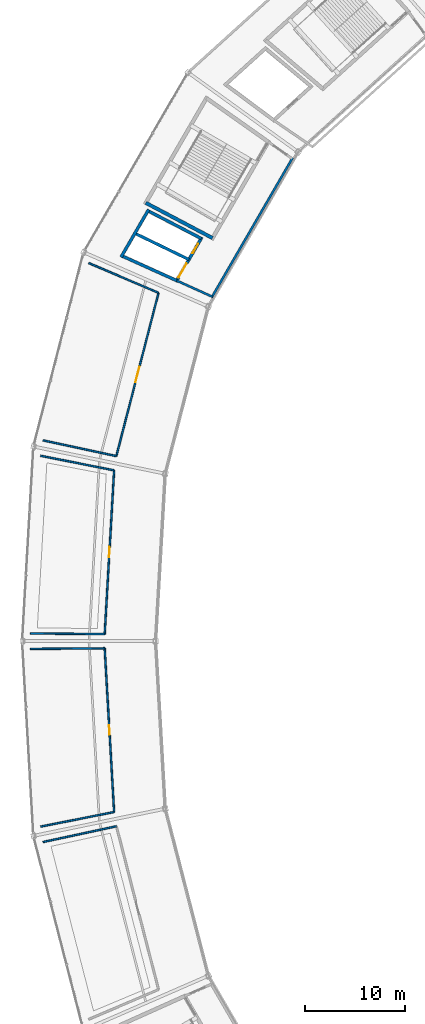
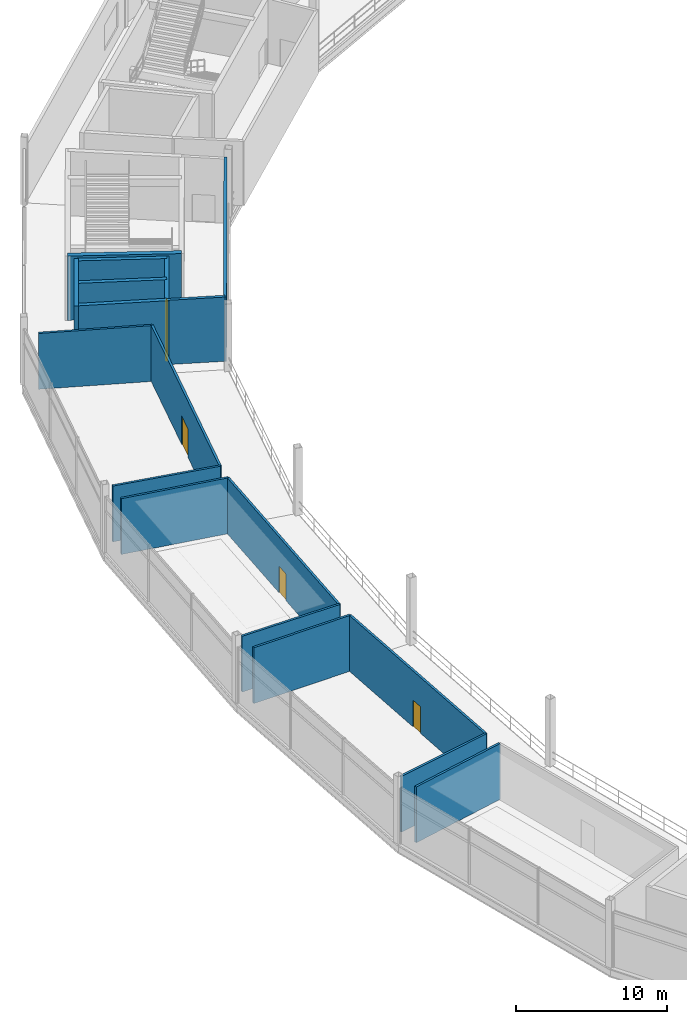
# One storey, part 74 of 103: 18 walls, 5 doors, 5 openings.
"""IFC4 building model written with IfcOpenShell, lengths in metres."""

from ifc_helpers import new_model, si_unit, direction, frame, frame_2d, origin, place, context, subcontext, project, spatial, rectangle, extrude, material, layer, layer_set, type_object, element, fill, save


model = new_model("IFC4")

# Units and contexts
model_context = context("Model", 3, precision=1e-05, world=origin(), true_north=direction((0.0, 1.0)))
body_context = subcontext(model_context, "Body", "Model", "MODEL_VIEW")
ifc_project = project(units=[si_unit("LENGTHUNIT", "METRE"), si_unit("AREAUNIT", "SQUARE_METRE"), si_unit("VOLUMEUNIT", "CUBIC_METRE"), si_unit("PLANEANGLEUNIT", "RADIAN"), si_unit("MASSUNIT", "GRAM", prefix="KILO")], contexts=[model_context])

# Site, building, storey
site_placement = place(None, origin())
site = spatial("IfcSite", under=ifc_project, at=site_placement, CompositionType="ELEMENT")
building_placement = place(site_placement, origin())
building = spatial("IfcBuilding", under=site, at=building_placement, Name="Kazemori Nagisa Stadium", CompositionType="ELEMENT")
storey_placement = place(building_placement, frame((0.0, 0.0, 25.840087890625)))
storey = spatial("IfcBuildingStorey", under=building, at=storey_placement, Name="L05", CompositionType="ELEMENT", Elevation=25.840087890625)

# Walls
ifc_material_1 = material(Name="Concrete C40/50 (Fc42)", Category="concrete")
ifc_layer_1 = layer(ifc_material_1, 0.35009765625, Name="Concrete C40/50 (Fc42)", Category="concrete")
ifc_layer_set_1 = layer_set([ifc_layer_1], Name="Concrete C40/50 (Fc42)")
wall_type_1 = type_object("IfcWallType", Name="Wall_W-CORE-350", PredefinedType="SHEAR", material=ifc_layer_set_1)
wall_1_placement = place(storey_placement, frame((46.958251953125, 142.15869140625, 0.0), z_axis=(0.0, 0.0, 1.0), x_axis=(-0.884271552762, 0.466973040952, 0.0)))
element("IfcWall", 1, at=wall_1_placement, inside=storey, type_object=wall_type_1, Name="Core stair right shear wall ST08 L05", PredefinedType="SHEAR", context=body_context, shape_type="SweptSolid", body=[
    extrude(rectangle(XDim=7.51953125, YDim=0.35009765625, at=frame_2d((3.759765625, 0.0))), origin(), (0.0, 0.0, 1.0), 5.179931640625),
])
ifc_material_2 = material(Name="Concrete C36/45 (Fc36)", Category="concrete")
ifc_layer_2 = layer(ifc_material_2, 0.219970703125, Name="Concrete C36/45 (Fc36)", Category="concrete")
ifc_layer_set_2 = layer_set([ifc_layer_2], Name="Concrete C36/45 (Fc36)")
wall_type_2 = type_object("IfcWallType", Name="Wall_W-LOBBY-220", PredefinedType="SOLIDWALL", material=ifc_layer_set_2)
wall_2_placement = place(storey_placement, frame((54.9443359375, 150.17041015625, 0.0), z_axis=(0.0, 0.0, 1.0), x_axis=(-0.501612626242, -0.865092349518, 0.0)))
element("IfcWall", 2, at=wall_2_placement, inside=storey, type_object=wall_type_2, Name="Core lobby fire wall ST08 L05", PredefinedType="SOLIDWALL", context=body_context, shape_type="SweptSolid", body=[
    extrude(rectangle(XDim=16.110107421875, YDim=0.219970703125, at=frame_2d((8.05517578125, 0.0))), origin(), (0.0, 0.0, 1.0), 5.179931640625),
])
wall_3_placement = place(storey_placement, frame((46.91845703125, 136.328857421875, 0.0), z_axis=(0.0, 0.0, 1.0), x_axis=(-0.91149641055, 0.411308027582, 0.0)))
element("IfcWall", 3, at=wall_3_placement, inside=storey, type_object=wall_type_2, Name="Core lobby right wall ST08 L05", PredefinedType="SOLIDWALL", context=body_context, shape_type="SweptSolid", body=[
    extrude(rectangle(XDim=3.873046875, YDim=0.219970703125, at=frame_2d((1.9365234375, 0.0))), origin(), (0.0, 0.0, 1.0), 5.179931640625),
])

# Wall, opening, door
ifc_material_3 = material(Name="Gypsum plasterboard", Category="gypsum")
ifc_layer_3 = layer(ifc_material_3, 0.1650390625, Name="Gypsum plasterboard", Category="gypsum")
ifc_layer_set_3 = layer_set([ifc_layer_3], Name="Gypsum plasterboard")
wall_type_3 = type_object("IfcWallType", Name="Wall_W-PART-165", PredefinedType="PARTITIONING", material=ifc_layer_set_3)
wall_4_placement = place(storey_placement, frame((41.576416015625, 136.70947265625, 0.0), z_axis=(0.0, 0.0, 1.0), x_axis=(-0.249966328054, -0.968254529986, 0.0)))
wall_4 = element("IfcWall", 4, at=wall_4_placement, inside=storey, type_object=wall_type_3, Name="Room corridor partition L05-B13", PredefinedType="PARTITIONING", context=body_context, shape_type="SweptSolid", body=[
    extrude(rectangle(XDim=16.805908203125, YDim=0.1650390625, at=frame_2d((8.40283203125, 0.0))), origin(), (0.0, 0.0, 1.0), 4.5),
])
opening_1_placement = place(wall_4_placement, frame((7.60302734375, 0.0, 0.0)))
opening_1 = element("IfcOpeningElement", 5, at=opening_1_placement, cuts=wall_4, Name="Opening D-LNG-1600", PredefinedType="OPENING", context=body_context, shape_type="SweptSolid", body=[
    extrude(rectangle(XDim=1.60009765625, YDim=2.300048828125, at=frame_2d((0.800048828125, 1.14990234375))), frame((0.0, 0.092529296875, 0.0), z_axis=(0.0, -1.0, 0.0), x_axis=(1.0, 0.0, 0.0)), (0.0, 0.0, 1.0), 0.18505859375),
])
ifc_material_4 = material(Name="Anodised aluminium 6063-T5", Category="aluminium")
door_type_1 = type_object("IfcDoorType", Name="Door_D-LNG-1600", OperationType="NOTDEFINED", PredefinedType="DOOR", material=ifc_material_4)
door_1_placement = place(opening_1_placement, origin())
door_1 = element("IfcDoor", 6, at=door_1_placement, inside=storey, type_object=door_type_1, Name="Room entrance door D-LNG-1600 L05-B13", OperationType="DOUBLE_DOOR_SINGLE_SWING", OverallHeight=2.300048828125, OverallWidth=1.60009765625, PredefinedType="DOOR", context=body_context, shape_type="SweptSolid", body=[
    extrude(rectangle(XDim=1.60009765625, YDim=2.300048828125, at=frame_2d((0.800048828125, 1.14990234375))), frame((0.0, 0.02490234375, 0.0), z_axis=(0.0, -1.0, 0.0), x_axis=(1.0, 0.0, 0.0)), (0.0, 0.0, 1.0), 0.050048828125),
])
fill(opening_1, door_1)

# Walls
wall_5_placement = place(storey_placement, frame((41.576416015625, 136.70947265625, 0.0), z_axis=(0.0, 0.0, 1.0), x_axis=(-0.919898990597, 0.39215538642, 0.0)))
element("IfcWall", 7, at=wall_5_placement, inside=storey, type_object=wall_type_3, Name="Room radial partition L05-B13-L", PredefinedType="PARTITIONING", context=body_context, shape_type="SweptSolid", body=[
    extrude(rectangle(XDim=7.553466796875, YDim=0.1650390625, at=frame_2d((3.77685546875, 0.0))), origin(), (0.0, 0.0, 1.0), 4.5),
])
wall_6_placement = place(storey_placement, frame((37.37548828125, 120.43701171875, 0.0), z_axis=(0.0, 0.0, 1.0), x_axis=(-0.977591606225, 0.210510454464, 0.0)))
element("IfcWall", 8, at=wall_6_placement, inside=storey, type_object=wall_type_3, Name="Room radial partition L05-B13-R", PredefinedType="PARTITIONING", context=body_context, shape_type="SweptSolid", body=[
    extrude(rectangle(XDim=7.474609375, YDim=0.1650390625, at=frame_2d((3.7373046875, 0.0))), origin(), (0.0, 0.0, 1.0), 4.5),
])

# Wall, opening, door
wall_7_placement = place(storey_placement, frame((37.152099609375, 119.020263671875, 0.0), z_axis=(0.0, 0.0, 1.0), x_axis=(-0.057605127437, -0.998339445927, 0.0)))
wall_7 = element("IfcWall", 9, at=wall_7_placement, inside=storey, type_object=wall_type_3, Name="Room corridor partition L05-B14", PredefinedType="PARTITIONING", context=body_context, shape_type="SweptSolid", body=[
    extrude(rectangle(XDim=16.338134765625, YDim=0.1650390625, at=frame_2d((8.1689453125, 0.0))), origin(), (0.0, 0.0, 1.0), 4.5),
])
opening_2_placement = place(wall_7_placement, frame((7.64892578125, 0.0, 0.0)))
opening_2 = element("IfcOpeningElement", 10, at=opening_2_placement, cuts=wall_7, Name="Opening D-OPS-1040", PredefinedType="OPENING", context=body_context, shape_type="SweptSolid", body=[
    extrude(rectangle(XDim=1.0400390625, YDim=2.14990234375, at=frame_2d((0.52001953125, 1.074951171875))), frame((0.0, 0.092529296875, 0.0), z_axis=(0.0, -1.0, 0.0), x_axis=(1.0, 0.0, 0.0)), (0.0, 0.0, 1.0), 0.18505859375),
])
ifc_material_5 = material(Name="Oak timber veneer", Category="wood")
door_type_2 = type_object("IfcDoorType", Name="Door_D-OPS-1040", OperationType="NOTDEFINED", PredefinedType="DOOR", material=ifc_material_5)
door_2_placement = place(opening_2_placement, origin())
door_2 = element("IfcDoor", 11, at=door_2_placement, inside=storey, type_object=door_type_2, Name="Room entrance door D-OPS-1040 L05-B14", OperationType="SINGLE_SWING_RIGHT", OverallHeight=2.14990234375, OverallWidth=1.0400390625, PredefinedType="DOOR", context=body_context, shape_type="SweptSolid", body=[
    extrude(rectangle(XDim=1.0400390625, YDim=2.14990234375, at=frame_2d((0.52001953125, 1.074951171875))), frame((0.0, 0.02490234375, 0.0), z_axis=(0.0, -1.0, 0.0), x_axis=(1.0, 0.0, 0.0)), (0.0, 0.0, 1.0), 0.050048828125),
])
fill(opening_2, door_2)

# Walls
wall_8_placement = place(storey_placement, frame((37.152099609375, 119.020263671875, 0.0), z_axis=(0.0, 0.0, 1.0), x_axis=(-0.980903700741, 0.194494035571, 0.0)))
element("IfcWall", 12, at=wall_8_placement, inside=storey, type_object=wall_type_3, Name="Room radial partition L05-B14-L", PredefinedType="PARTITIONING", context=body_context, shape_type="SweptSolid", body=[
    extrude(rectangle(XDim=7.46875, YDim=0.1650390625, at=frame_2d((3.734375, 0.0))), origin(), (0.0, 0.0, 1.0), 4.5),
])
wall_9_placement = place(storey_placement, frame((36.2109375, 102.709228515625, 0.0), z_axis=(0.0, 0.0, 1.0), x_axis=(-0.999966587703, 0.008174562869, 0.0)))
element("IfcWall", 13, at=wall_9_placement, inside=storey, type_object=wall_type_3, Name="Room radial partition L05-B14-R", PredefinedType="PARTITIONING", context=body_context, shape_type="SweptSolid", body=[
    extrude(rectangle(XDim=7.40673828125, YDim=0.1650390625, at=frame_2d((3.703369140625, 0.0))), origin(), (0.0, 0.0, 1.0), 4.5),
])

# Wall, opening, door
wall_10_placement = place(storey_placement, frame((36.2109375, 101.290771484375, 0.0), z_axis=(0.0, 0.0, 1.0), x_axis=(0.057605127437, -0.998339445927, 0.0)))
wall_10 = element("IfcWall", 14, at=wall_10_placement, inside=storey, type_object=wall_type_3, Name="Room corridor partition L05-B15", PredefinedType="PARTITIONING", context=body_context, shape_type="SweptSolid", body=[
    extrude(rectangle(XDim=16.338134765625, YDim=0.1650390625, at=frame_2d((8.1689453125, 0.0))), origin(), (0.0, 0.0, 1.0), 4.5),
])
opening_3_placement = place(wall_10_placement, frame((7.694091796875, 0.0, 0.0)))
opening_3 = element("IfcOpeningElement", 15, at=opening_3_placement, cuts=wall_10, Name="Opening D-OFF-950", PredefinedType="OPENING", context=body_context, shape_type="SweptSolid", body=[
    extrude(rectangle(XDim=0.949951171875, YDim=2.14990234375, at=frame_2d((0.47509765625, 1.074951171875))), frame((0.0, 0.092529296875, 0.0), z_axis=(0.0, -1.0, 0.0), x_axis=(1.0, 0.0, 0.0)), (0.0, 0.0, 1.0), 0.18505859375),
])
door_type_3 = type_object("IfcDoorType", Name="Door_D-OFF-950", OperationType="NOTDEFINED", PredefinedType="DOOR", material=ifc_material_5)
door_3_placement = place(opening_3_placement, origin())
door_3 = element("IfcDoor", 16, at=door_3_placement, inside=storey, type_object=door_type_3, Name="Room entrance door D-OFF-950 L05-B15", OperationType="SINGLE_SWING_LEFT", OverallHeight=2.14990234375, OverallWidth=0.949951171875, PredefinedType="DOOR", context=body_context, shape_type="SweptSolid", body=[
    extrude(rectangle(XDim=0.949951171875, YDim=2.14990234375, at=frame_2d((0.47509765625, 1.074951171875))), frame((0.0, 0.02490234375, 0.0), z_axis=(0.0, -1.0, 0.0), x_axis=(1.0, 0.0, 0.0)), (0.0, 0.0, 1.0), 0.050048828125),
])
fill(opening_3, door_3)

# Walls
wall_11_placement = place(storey_placement, frame((36.2109375, 101.290771484375, 0.0), z_axis=(0.0, 0.0, 1.0), x_axis=(-0.999966587703, -0.008174562869, 0.0)))
element("IfcWall", 17, at=wall_11_placement, inside=storey, type_object=wall_type_3, Name="Room radial partition L05-B15-L", PredefinedType="PARTITIONING", context=body_context, shape_type="SweptSolid", body=[
    extrude(rectangle(XDim=7.40673828125, YDim=0.1650390625, at=frame_2d((3.703369140625, 0.0))), origin(), (0.0, 0.0, 1.0), 4.5),
])
wall_12_placement = place(storey_placement, frame((37.152099609375, 84.979736328125, 0.0), z_axis=(0.0, 0.0, 1.0), x_axis=(-0.980903700741, -0.194494035571, 0.0)))
element("IfcWall", 18, at=wall_12_placement, inside=storey, type_object=wall_type_3, Name="Room radial partition L05-B15-R", PredefinedType="PARTITIONING", context=body_context, shape_type="SweptSolid", body=[
    extrude(rectangle(XDim=7.46875, YDim=0.1650390625, at=frame_2d((3.734375, 0.0))), origin(), (0.0, 0.0, 1.0), 4.5),
])
wall_13_placement = place(storey_placement, frame((37.37548828125, 83.56298828125, 0.0), z_axis=(0.0, 0.0, 1.0), x_axis=(-0.977591606225, -0.210510454464, 0.0)))
element("IfcWall", 19, at=wall_13_placement, inside=storey, type_object=wall_type_3, Name="Room radial partition L05-B16-L", PredefinedType="PARTITIONING", context=body_context, shape_type="SweptSolid", body=[
    extrude(rectangle(XDim=7.474609375, YDim=0.1650390625, at=frame_2d((3.7373046875, 0.0))), origin(), (0.0, 0.0, 1.0), 4.5),
])

# Wall, openings, doors
ifc_layer_4 = layer(ifc_material_1, 0.300048828125, Name="Concrete C40/50 (Fc42)", Category="concrete")
ifc_layer_set_4 = layer_set([ifc_layer_4], Name="Concrete C40/50 (Fc42)")
wall_type_4 = type_object("IfcWallType", Name="Wall_W-SHAFT-300", PredefinedType="SHEAR", material=ifc_layer_set_4)
wall_14_placement = place(storey_placement, frame((45.89990234375, 142.253662109375, 0.0), z_axis=(0.0, 0.0, 1.0), x_axis=(-0.501629534056, -0.86508254552, 0.0)))
wall_14 = element("IfcWall", 20, at=wall_14_placement, inside=storey, type_object=wall_type_4, Name="Lift shaft front wall LP6 L05", PredefinedType="SHEAR", context=body_context, shape_type="SweptSolid", body=[
    extrude(rectangle(XDim=5.157470703125, YDim=0.300048828125, at=frame_2d((2.57861328125, 0.0))), origin(), (0.0, 0.0, 1.0), 5.179931640625),
])
opening_4_placement = place(wall_14_placement, frame((0.76611328125, 0.0, 0.0)))
opening_4 = element("IfcOpeningElement", 21, at=opening_4_placement, cuts=wall_14, Name="Opening LD-PAX", PredefinedType="OPENING", context=body_context, shape_type="SweptSolid", body=[
    extrude(rectangle(XDim=1.10009765625, YDim=2.199951171875, at=frame_2d((0.550048828125, 1.10009765625))), frame((0.0, 0.159912109375, 0.0), z_axis=(0.0, -1.0, 0.0), x_axis=(1.0, 0.0, 0.0)), (0.0, 0.0, 1.0), 0.320068359375),
])
opening_5_placement = place(wall_14_placement, frame((3.0419921875, 0.0, 0.0)))
opening_5 = element("IfcOpeningElement", 22, at=opening_5_placement, cuts=wall_14, Name="Opening LD-GDS", PredefinedType="OPENING", context=body_context, shape_type="SweptSolid", body=[
    extrude(rectangle(XDim=1.60009765625, YDim=2.300048828125, at=frame_2d((0.800048828125, 1.14990234375))), frame((0.0, 0.159912109375, 0.0), z_axis=(0.0, -1.0, 0.0), x_axis=(1.0, 0.0, 0.0)), (0.0, 0.0, 1.0), 0.320068359375),
])
ifc_material_6 = material(Name="Stainless steel SUS304", Category="steel")
door_type_4 = type_object("IfcDoorType", Name="Door_LD-GDS", OperationType="SLIDING_TO_LEFT", PredefinedType="DOOR", material=ifc_material_6)
door_4_placement = place(opening_5_placement, origin())
door_4 = element("IfcDoor", 23, at=door_4_placement, inside=storey, type_object=door_type_4, Name="Lift landing door LG1-L05", OperationType="SLIDING_TO_LEFT", OverallHeight=2.300048828125, OverallWidth=1.60009765625, PredefinedType="DOOR", context=body_context, shape_type="SweptSolid", body=[
    extrude(rectangle(XDim=1.60009765625, YDim=2.300048828125, at=frame_2d((0.800048828125, 1.14990234375))), frame((0.0, 0.02490234375, 0.0), z_axis=(0.0, -1.0, 0.0), x_axis=(1.0, 0.0, 0.0)), (0.0, 0.0, 1.0), 0.050048828125),
])
fill(opening_5, door_4)
door_type_5 = type_object("IfcDoorType", Name="Door_LD-PAX", OperationType="SLIDING_TO_RIGHT", PredefinedType="DOOR", material=ifc_material_6)
door_5_placement = place(opening_4_placement, origin())
door_5 = element("IfcDoor", 24, at=door_5_placement, inside=storey, type_object=door_type_5, Name="Lift landing door LP6-L05", OperationType="SLIDING_TO_RIGHT", OverallHeight=2.199951171875, OverallWidth=1.10009765625, PredefinedType="DOOR", context=body_context, shape_type="SweptSolid", body=[
    extrude(rectangle(XDim=1.10009765625, YDim=2.199951171875, at=frame_2d((0.550048828125, 1.10009765625))), frame((0.0, 0.02490234375, 0.0), z_axis=(0.0, -1.0, 0.0), x_axis=(1.0, 0.0, 0.0)), (0.0, 0.0, 1.0), 0.050048828125),
])
fill(opening_4, door_5)

# Walls
wall_15_placement = place(storey_placement, frame((40.59521484375, 145.01171875, 0.0), z_axis=(0.0, 0.0, 1.0), x_axis=(-0.501630260479, -0.865082124293, 0.0)))
element("IfcWall", 25, at=wall_15_placement, inside=storey, type_object=wall_type_4, Name="Lift shaft B wall LP6 L05", PredefinedType="SHEAR", context=body_context, shape_type="SweptSolid", body=[
    extrude(rectangle(XDim=5.491455078125, YDim=0.300048828125, at=frame_2d((2.74560546875, 0.0))), origin(), (0.0, 0.0, 1.0), 5.179931640625),
])
wall_16_placement = place(storey_placement, frame((45.82470703125, 142.1240234375, 0.0), z_axis=(0.0, 0.0, 1.0), x_axis=(-0.887268274556, 0.461253735992, 0.0)))
element("IfcWall", 26, at=wall_16_placement, inside=storey, type_object=wall_type_4, Name="Lift shaft L wall LP6 L05", PredefinedType="SHEAR", context=body_context, shape_type="SweptSolid", body=[
    extrude(rectangle(XDim=5.97900390625, YDim=0.300048828125, at=frame_2d((2.989501953125, 0.0))), origin(), (0.0, 0.0, 1.0), 5.179931640625),
])
wall_17_placement = place(storey_placement, frame((43.38818359375, 137.921875, 0.0), z_axis=(0.0, 0.0, 1.0), x_axis=(-0.911521602376, 0.41125219562, 0.0)))
element("IfcWall", 27, at=wall_17_placement, inside=storey, type_object=wall_type_4, Name="Lift shaft R wall LP6 L05", PredefinedType="SHEAR", context=body_context, shape_type="SweptSolid", body=[
    extrude(rectangle(XDim=6.003662109375, YDim=0.300048828125, at=frame_2d((3.001953125, 0.0))), origin(), (0.0, 0.0, 1.0), 5.179931640625),
])
wall_18_placement = place(storey_placement, frame((44.6064453125, 140.02294921875, 0.0), z_axis=(0.0, 0.0, 1.0), x_axis=(-0.899759302591, 0.436386522936, 0.0)))
element("IfcWall", 28, at=wall_18_placement, inside=storey, type_object=wall_type_4, Name="Lift shaft divider wall LP6-LG1 L05", PredefinedType="SHEAR", context=body_context, shape_type="SweptSolid", body=[
    extrude(rectangle(XDim=5.989013671875, YDim=0.300048828125, at=frame_2d((2.99462890625, 0.0))), origin(), (0.0, 0.0, 1.0), 5.179931640625),
])

save(model, "model.ifc")
